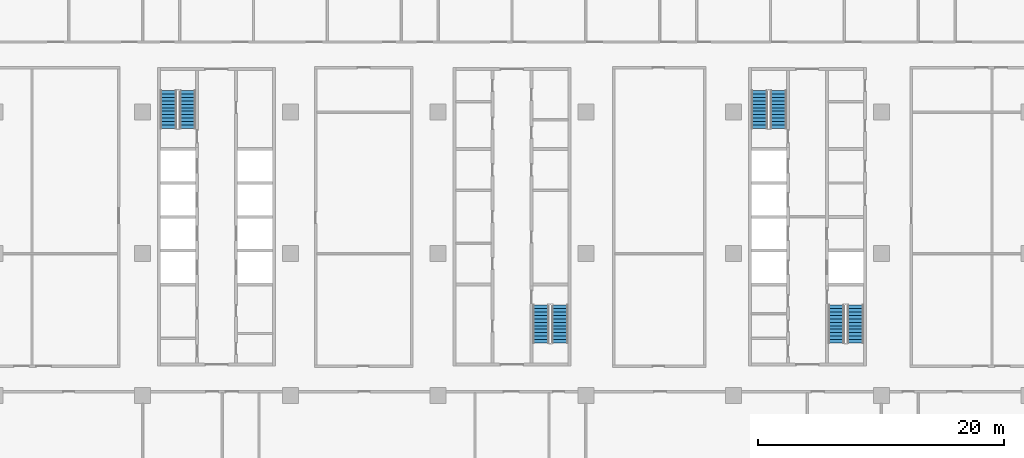
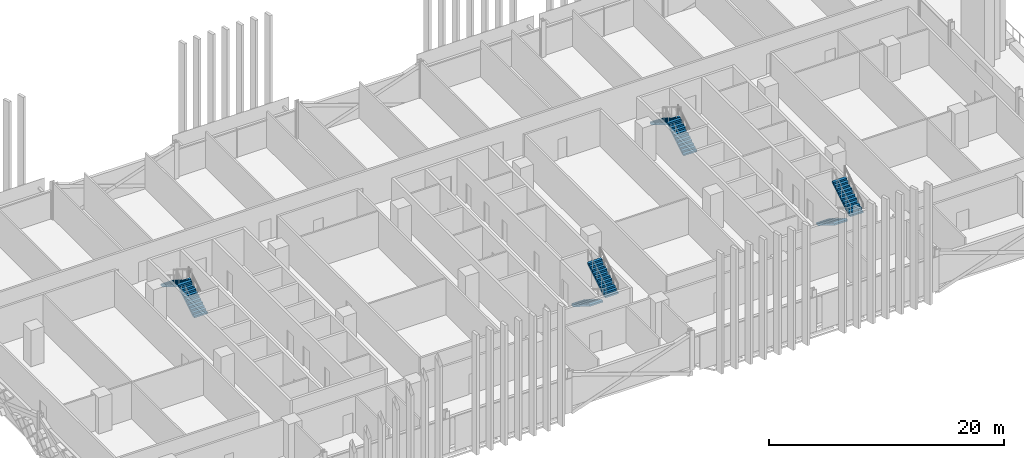
# One storey, part 17 of 33: 8 stair flights, 4 elements without a shape of their own.
"""IFC4 building model written with IfcOpenShell, lengths in metres."""

from ifc_helpers import new_model, si_unit, direction, frame, origin, place, context, subcontext, project, spatial, polyline, outline, extrude, material, type_object, element, aggregate, save


model = new_model("IFC4")

# Units and contexts
model_context = context("Model", 3, precision=1e-05, world=origin(), true_north=direction((0.0, 1.0)))
body_context = subcontext(model_context, "Body", "Model", "MODEL_VIEW")
ifc_project = project(units=[si_unit("LENGTHUNIT", "METRE"), si_unit("AREAUNIT", "SQUARE_METRE"), si_unit("VOLUMEUNIT", "CUBIC_METRE"), si_unit("PLANEANGLEUNIT", "RADIAN"), si_unit("MASSUNIT", "GRAM", prefix="KILO")], contexts=[model_context])

# Site, building, storey
site_placement = place(None, origin())
site = spatial("IfcSite", under=ifc_project, at=site_placement, CompositionType="ELEMENT")
building_placement = place(site_placement, origin())
building = spatial("IfcBuilding", under=site, at=building_placement, Name="Mahtab Terrace Research Tower", CompositionType="ELEMENT")
storey_placement = place(building_placement, frame((0.0, 0.0, 122.0)))
storey = spatial("IfcBuildingStorey", under=building, at=storey_placement, Name="L28", CompositionType="ELEMENT", Elevation=122.0)

# Stair, stair flights
ifc_material_1 = material(Name="Exit stair half-turn")
stair_type = type_object("IfcStairType", Name="Exit stair half-turn", PredefinedType="HALF_TURN_STAIR", material=ifc_material_1)
stair_1_placement = place(storey_placement, origin())
stair_1 = element("IfcStair", 1, at=stair_1_placement, inside=storey, type_object=stair_type, Name="L28 Protected exit stair ST1", PredefinedType="HALF_TURN_STAIR")
ifc_material_2 = material(Name="Concrete C40/50", Category="concrete")
stair_flight_type = type_object("IfcStairFlightType", Name="Exit stair flight 1300", PredefinedType="STRAIGHT", material=ifc_material_2)
stair_flight_1_placement = place(storey_placement, frame((-26.35009765625, 10.175048828125, 0.0), z_axis=(0.0, 0.0, 1.0), x_axis=(0.0, 1.0, 0.0)))
stair_flight_1 = element("IfcStairFlight", 2, at=stair_flight_1_placement, type_object=stair_flight_type, Name="ST1 flight 1", NumberOfRisers=12, NumberOfTreads=11, PredefinedType="STRAIGHT", RiserHeight=0.170833333, TreadLength=0.28, context=body_context, shape_type="SweptSolid", body=[
    extrude(outline(polyline([(0.0, 0.0), (0.0, 0.1708984375), (0.280029296875, 0.1708984375), (0.280029296875, 0.341552734375), (0.56005859375, 0.341552734375), (0.56005859375, 0.512451171875), (0.840087890625, 0.512451171875), (0.840087890625, 0.683349609375), (1.1201171875, 0.683349609375), (1.1201171875, 0.854248046875), (1.39990234375, 0.854248046875), (1.39990234375, 1.02490234375), (1.679931640625, 1.02490234375), (1.679931640625, 1.19580078125), (1.9599609375, 1.19580078125), (1.9599609375, 1.36669921875), (2.239990234375, 1.36669921875), (2.239990234375, 1.53759765625), (2.52001953125, 1.53759765625), (2.52001953125, 1.708251953125), (2.800048828125, 1.708251953125), (2.800048828125, 1.879150390625), (3.080078125, 1.879150390625), (3.080078125, 2.050048828125), (3.080078125, 1.70361328125), (0.287841796875, 0.0), (0.0, 0.0)])), frame((0.0, 0.64990234375, 0.0), z_axis=(0.0, -1.0, 0.0), x_axis=(1.0, 0.0, 0.0)), (0.0, 0.0, 1.0), 1.300048828125),
])
stair_flight_2_placement = place(storey_placement, frame((-27.89990234375, 13.2548828125, 2.050048828125), z_axis=(0.0, 0.0, 1.0), x_axis=(0.0, -1.0, 0.0)))
stair_flight_2 = element("IfcStairFlight", 3, at=stair_flight_2_placement, type_object=stair_flight_type, Name="ST1 flight 2", NumberOfRisers=12, NumberOfTreads=11, PredefinedType="STRAIGHT", RiserHeight=0.170833333, TreadLength=0.28, context=body_context, shape_type="SweptSolid", body=[
    extrude(outline(polyline([(0.0, 0.0), (0.0, 0.1708984375), (0.280029296875, 0.1708984375), (0.280029296875, 0.341552734375), (0.56005859375, 0.341552734375), (0.56005859375, 0.512451171875), (0.840087890625, 0.512451171875), (0.840087890625, 0.683349609375), (1.1201171875, 0.683349609375), (1.1201171875, 0.854248046875), (1.39990234375, 0.854248046875), (1.39990234375, 1.02490234375), (1.679931640625, 1.02490234375), (1.679931640625, 1.19580078125), (1.9599609375, 1.19580078125), (1.9599609375, 1.36669921875), (2.239990234375, 1.36669921875), (2.239990234375, 1.53759765625), (2.52001953125, 1.53759765625), (2.52001953125, 1.708251953125), (2.800048828125, 1.708251953125), (2.800048828125, 1.879150390625), (3.080078125, 1.879150390625), (3.080078125, 2.050048828125), (3.080078125, 1.70361328125), (0.287841796875, 0.0), (0.0, 0.0)])), frame((0.0, 0.64990234375, 0.0), z_axis=(0.0, -1.0, 0.0), x_axis=(1.0, 0.0, 0.0)), (0.0, 0.0, 1.0), 1.300048828125),
])
aggregate(stair_1, [stair_flight_1, stair_flight_2])

stair_2_placement = place(storey_placement, origin())
stair_2 = element("IfcStair", 4, at=stair_2_placement, inside=storey, type_object=stair_type, Name="L28 Protected exit stair ST2", PredefinedType="HALF_TURN_STAIR")
stair_flight_3_placement = place(storey_placement, frame((2.35009765625, -4.175048828125, 0.0), z_axis=(0.0, 0.0, 1.0), x_axis=(0.0, -1.0, 0.0)))
stair_flight_3 = element("IfcStairFlight", 5, at=stair_flight_3_placement, type_object=stair_flight_type, Name="ST2 flight 1", NumberOfRisers=12, NumberOfTreads=11, PredefinedType="STRAIGHT", RiserHeight=0.170833333, TreadLength=0.28, context=body_context, shape_type="SweptSolid", body=[
    extrude(outline(polyline([(0.0, 0.0), (0.0, 0.1708984375), (0.280029296875, 0.1708984375), (0.280029296875, 0.341552734375), (0.56005859375, 0.341552734375), (0.56005859375, 0.512451171875), (0.840087890625, 0.512451171875), (0.840087890625, 0.683349609375), (1.1201171875, 0.683349609375), (1.1201171875, 0.854248046875), (1.39990234375, 0.854248046875), (1.39990234375, 1.02490234375), (1.679931640625, 1.02490234375), (1.679931640625, 1.19580078125), (1.9599609375, 1.19580078125), (1.9599609375, 1.36669921875), (2.239990234375, 1.36669921875), (2.239990234375, 1.53759765625), (2.52001953125, 1.53759765625), (2.52001953125, 1.708251953125), (2.800048828125, 1.708251953125), (2.800048828125, 1.879150390625), (3.080078125, 1.879150390625), (3.080078125, 2.050048828125), (3.080078125, 1.70361328125), (0.287841796875, 0.0), (0.0, 0.0)])), frame((0.0, 0.64990234375, 0.0), z_axis=(0.0, -1.0, 0.0), x_axis=(1.0, 0.0, 0.0)), (0.0, 0.0, 1.0), 1.300048828125),
])
stair_flight_4_placement = place(storey_placement, frame((3.89990234375, -7.2548828125, 2.050048828125), z_axis=(0.0, 0.0, 1.0), x_axis=(0.0, 1.0, 0.0)))
stair_flight_4 = element("IfcStairFlight", 6, at=stair_flight_4_placement, type_object=stair_flight_type, Name="ST2 flight 2", NumberOfRisers=12, NumberOfTreads=11, PredefinedType="STRAIGHT", RiserHeight=0.170833333, TreadLength=0.28, context=body_context, shape_type="SweptSolid", body=[
    extrude(outline(polyline([(0.0, 0.0), (0.0, 0.1708984375), (0.280029296875, 0.1708984375), (0.280029296875, 0.341552734375), (0.56005859375, 0.341552734375), (0.56005859375, 0.512451171875), (0.840087890625, 0.512451171875), (0.840087890625, 0.683349609375), (1.1201171875, 0.683349609375), (1.1201171875, 0.854248046875), (1.39990234375, 0.854248046875), (1.39990234375, 1.02490234375), (1.679931640625, 1.02490234375), (1.679931640625, 1.19580078125), (1.9599609375, 1.19580078125), (1.9599609375, 1.36669921875), (2.239990234375, 1.36669921875), (2.239990234375, 1.53759765625), (2.52001953125, 1.53759765625), (2.52001953125, 1.708251953125), (2.800048828125, 1.708251953125), (2.800048828125, 1.879150390625), (3.080078125, 1.879150390625), (3.080078125, 2.050048828125), (3.080078125, 1.70361328125), (0.287841796875, 0.0), (0.0, 0.0)])), frame((0.0, 0.64990234375, 0.0), z_axis=(0.0, -1.0, 0.0), x_axis=(1.0, 0.0, 0.0)), (0.0, 0.0, 1.0), 1.300048828125),
])
aggregate(stair_2, [stair_flight_3, stair_flight_4])

stair_3_placement = place(storey_placement, origin())
stair_3 = element("IfcStair", 7, at=stair_3_placement, inside=storey, type_object=stair_type, Name="L28 Protected exit stair ST3", PredefinedType="HALF_TURN_STAIR")
stair_flight_5_placement = place(storey_placement, frame((21.64990234375, 10.175048828125, 0.0), z_axis=(0.0, 0.0, 1.0), x_axis=(0.0, 1.0, 0.0)))
stair_flight_5 = element("IfcStairFlight", 8, at=stair_flight_5_placement, type_object=stair_flight_type, Name="ST3 flight 1", NumberOfRisers=12, NumberOfTreads=11, PredefinedType="STRAIGHT", RiserHeight=0.170833333, TreadLength=0.28, context=body_context, shape_type="SweptSolid", body=[
    extrude(outline(polyline([(0.0, 0.0), (0.0, 0.1708984375), (0.280029296875, 0.1708984375), (0.280029296875, 0.341552734375), (0.56005859375, 0.341552734375), (0.56005859375, 0.512451171875), (0.840087890625, 0.512451171875), (0.840087890625, 0.683349609375), (1.1201171875, 0.683349609375), (1.1201171875, 0.854248046875), (1.39990234375, 0.854248046875), (1.39990234375, 1.02490234375), (1.679931640625, 1.02490234375), (1.679931640625, 1.19580078125), (1.9599609375, 1.19580078125), (1.9599609375, 1.36669921875), (2.239990234375, 1.36669921875), (2.239990234375, 1.53759765625), (2.52001953125, 1.53759765625), (2.52001953125, 1.708251953125), (2.800048828125, 1.708251953125), (2.800048828125, 1.879150390625), (3.080078125, 1.879150390625), (3.080078125, 2.050048828125), (3.080078125, 1.70361328125), (0.287841796875, 0.0), (0.0, 0.0)])), frame((0.0, 0.64990234375, 0.0), z_axis=(0.0, -1.0, 0.0), x_axis=(1.0, 0.0, 0.0)), (0.0, 0.0, 1.0), 1.300048828125),
])
stair_flight_6_placement = place(storey_placement, frame((20.10009765625, 13.2548828125, 2.050048828125), z_axis=(0.0, 0.0, 1.0), x_axis=(0.0, -1.0, 0.0)))
stair_flight_6 = element("IfcStairFlight", 9, at=stair_flight_6_placement, type_object=stair_flight_type, Name="ST3 flight 2", NumberOfRisers=12, NumberOfTreads=11, PredefinedType="STRAIGHT", RiserHeight=0.170833333, TreadLength=0.28, context=body_context, shape_type="SweptSolid", body=[
    extrude(outline(polyline([(0.0, 0.0), (0.0, 0.1708984375), (0.280029296875, 0.1708984375), (0.280029296875, 0.341552734375), (0.56005859375, 0.341552734375), (0.56005859375, 0.512451171875), (0.840087890625, 0.512451171875), (0.840087890625, 0.683349609375), (1.1201171875, 0.683349609375), (1.1201171875, 0.854248046875), (1.39990234375, 0.854248046875), (1.39990234375, 1.02490234375), (1.679931640625, 1.02490234375), (1.679931640625, 1.19580078125), (1.9599609375, 1.19580078125), (1.9599609375, 1.36669921875), (2.239990234375, 1.36669921875), (2.239990234375, 1.53759765625), (2.52001953125, 1.53759765625), (2.52001953125, 1.708251953125), (2.800048828125, 1.708251953125), (2.800048828125, 1.879150390625), (3.080078125, 1.879150390625), (3.080078125, 2.050048828125), (3.080078125, 1.70361328125), (0.287841796875, 0.0), (0.0, 0.0)])), frame((0.0, 0.64990234375, 0.0), z_axis=(0.0, -1.0, 0.0), x_axis=(1.0, 0.0, 0.0)), (0.0, 0.0, 1.0), 1.300048828125),
])
aggregate(stair_3, [stair_flight_5, stair_flight_6])

stair_4_placement = place(storey_placement, origin())
stair_4 = element("IfcStair", 10, at=stair_4_placement, inside=storey, type_object=stair_type, Name="L28 Protected exit stair ST4", PredefinedType="HALF_TURN_STAIR")
stair_flight_7_placement = place(storey_placement, frame((26.35009765625, -4.175048828125, 0.0), z_axis=(0.0, 0.0, 1.0), x_axis=(0.0, -1.0, 0.0)))
stair_flight_7 = element("IfcStairFlight", 11, at=stair_flight_7_placement, type_object=stair_flight_type, Name="ST4 flight 1", NumberOfRisers=12, NumberOfTreads=11, PredefinedType="STRAIGHT", RiserHeight=0.170833333, TreadLength=0.28, context=body_context, shape_type="SweptSolid", body=[
    extrude(outline(polyline([(0.0, 0.0), (0.0, 0.1708984375), (0.280029296875, 0.1708984375), (0.280029296875, 0.341552734375), (0.56005859375, 0.341552734375), (0.56005859375, 0.512451171875), (0.840087890625, 0.512451171875), (0.840087890625, 0.683349609375), (1.1201171875, 0.683349609375), (1.1201171875, 0.854248046875), (1.39990234375, 0.854248046875), (1.39990234375, 1.02490234375), (1.679931640625, 1.02490234375), (1.679931640625, 1.19580078125), (1.9599609375, 1.19580078125), (1.9599609375, 1.36669921875), (2.239990234375, 1.36669921875), (2.239990234375, 1.53759765625), (2.52001953125, 1.53759765625), (2.52001953125, 1.708251953125), (2.800048828125, 1.708251953125), (2.800048828125, 1.879150390625), (3.080078125, 1.879150390625), (3.080078125, 2.050048828125), (3.080078125, 1.70361328125), (0.287841796875, 0.0), (0.0, 0.0)])), frame((0.0, 0.64990234375, 0.0), z_axis=(0.0, -1.0, 0.0), x_axis=(1.0, 0.0, 0.0)), (0.0, 0.0, 1.0), 1.300048828125),
])
stair_flight_8_placement = place(storey_placement, frame((27.89990234375, -7.2548828125, 2.050048828125), z_axis=(0.0, 0.0, 1.0), x_axis=(0.0, 1.0, 0.0)))
stair_flight_8 = element("IfcStairFlight", 12, at=stair_flight_8_placement, type_object=stair_flight_type, Name="ST4 flight 2", NumberOfRisers=12, NumberOfTreads=11, PredefinedType="STRAIGHT", RiserHeight=0.170833333, TreadLength=0.28, context=body_context, shape_type="SweptSolid", body=[
    extrude(outline(polyline([(0.0, 0.0), (0.0, 0.1708984375), (0.280029296875, 0.1708984375), (0.280029296875, 0.341552734375), (0.56005859375, 0.341552734375), (0.56005859375, 0.512451171875), (0.840087890625, 0.512451171875), (0.840087890625, 0.683349609375), (1.1201171875, 0.683349609375), (1.1201171875, 0.854248046875), (1.39990234375, 0.854248046875), (1.39990234375, 1.02490234375), (1.679931640625, 1.02490234375), (1.679931640625, 1.19580078125), (1.9599609375, 1.19580078125), (1.9599609375, 1.36669921875), (2.239990234375, 1.36669921875), (2.239990234375, 1.53759765625), (2.52001953125, 1.53759765625), (2.52001953125, 1.708251953125), (2.800048828125, 1.708251953125), (2.800048828125, 1.879150390625), (3.080078125, 1.879150390625), (3.080078125, 2.050048828125), (3.080078125, 1.70361328125), (0.287841796875, 0.0), (0.0, 0.0)])), frame((0.0, 0.64990234375, 0.0), z_axis=(0.0, -1.0, 0.0), x_axis=(1.0, 0.0, 0.0)), (0.0, 0.0, 1.0), 1.300048828125),
])
aggregate(stair_4, [stair_flight_7, stair_flight_8])

save(model, "model.ifc")
